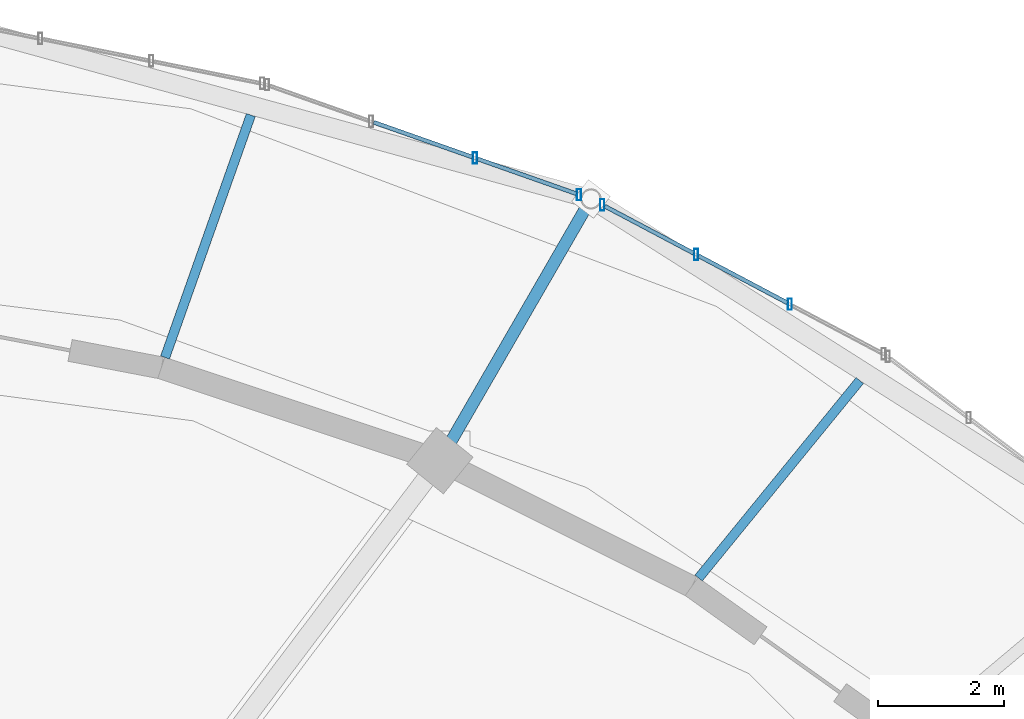
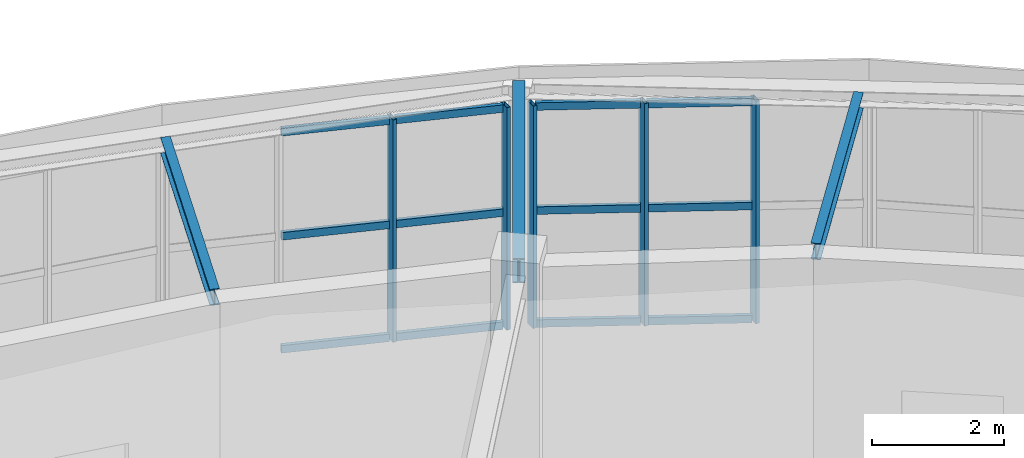
# One storey, part 61 of 108: 17 members, 3 beams, 2 elements without a shape of their own.
"""IFC4 building model written with IfcOpenShell, lengths in metres."""

from ifc_helpers import new_model, si_unit, direction, frame, origin, origin_2d, place, context, subcontext, project, spatial, hollow_rectangle, i_section, extrude, material, material_profile, profile_set, type_object, element, aggregate, save


model = new_model("IFC4")

# Units and contexts
model_context = context("Model", 3, precision=1e-05, world=origin(), true_north=direction((0.0, 1.0)))
body_context = subcontext(model_context, "Body", "Model", "MODEL_VIEW")
ifc_project = project(units=[si_unit("LENGTHUNIT", "METRE"), si_unit("AREAUNIT", "SQUARE_METRE"), si_unit("VOLUMEUNIT", "CUBIC_METRE"), si_unit("PLANEANGLEUNIT", "RADIAN"), si_unit("MASSUNIT", "GRAM", prefix="KILO")], contexts=[model_context])

# Site, building, storey
site_placement = place(None, origin())
site = spatial("IfcSite", under=ifc_project, at=site_placement, CompositionType="ELEMENT")
building_placement = place(site_placement, origin())
building = spatial("IfcBuilding", under=site, at=building_placement, Name="Tarnveldt Headland Concert Hall", CompositionType="ELEMENT")
storey_placement = place(building_placement, frame((0.0, 0.0, 9.60009765625)))
storey = spatial("IfcBuildingStorey", under=building, at=storey_placement, Name="L02", CompositionType="ELEMENT", Elevation=9.60009765625)

# Curtain wall, members
ifc_material_1 = material(Name="Marine-anodised aluminium EN AW-6063-T6", Category="aluminium")
curtain_wall_type = type_object("IfcCurtainWallType", Name="CW-F3", PredefinedType="NOTDEFINED", material=ifc_material_1)
curtain_wall_1_placement = place(storey_placement, origin())
curtain_wall_1 = element("IfcCurtainWall", 1, at=curtain_wall_1_placement, inside=storey, type_object=curtain_wall_type, Name="Curtain wall CW-L02-065", PredefinedType="NOTDEFINED")
ifc_material_profile_1 = material_profile(ifc_material_1, hollow_rectangle(XDim=0.06494140625, YDim=0.179931640625, WallThickness=0.00390625, at=origin_2d()), Name="ALU MULLION 65x180x4", Category="aluminium")
ifc_profile_set_1 = profile_set([ifc_material_profile_1], Name="Marine-anodised aluminium EN AW-6063-T6")
member_type_1 = type_object("IfcMemberType", Name="ML-180", PredefinedType="MULLION", material=ifc_profile_set_1)
member_1_placement = place(storey_placement, frame((103.05810546875, 74.305419921875, 0.0), z_axis=(0.0, 0.0, 1.0), x_axis=(1.0, 0.0, 0.0)))
member_1 = element("IfcMember", 2, at=member_1_placement, type_object=member_type_1, Name="Mullion CW-L02-065-2", PredefinedType="MULLION", context=body_context, shape_type="SweptSolid", body=[
    extrude(hollow_rectangle(XDim=0.06494140625, YDim=0.179931640625, WallThickness=0.00390625, at=origin_2d()), origin(), (0.0, 0.0, 1.0), 4.10791015625),
])
member_2_placement = place(storey_placement, frame((101.568359375, 75.093994140625, 0.0), z_axis=(0.0, 0.0, 1.0), x_axis=(1.0, 0.0, 0.0)))
member_2 = element("IfcMember", 3, at=member_2_placement, type_object=member_type_1, Name="Mullion CW-L02-065-3", PredefinedType="MULLION", context=body_context, shape_type="SweptSolid", body=[
    extrude(hollow_rectangle(XDim=0.06494140625, YDim=0.179931640625, WallThickness=0.00390625, at=origin_2d()), origin(), (0.0, 0.0, 1.0), 4.10791015625),
])
member_3_placement = place(storey_placement, frame((100.07861328125, 75.8828125, 0.0), z_axis=(0.0, 0.0, 1.0), x_axis=(1.0, 0.0, 0.0)))
member_3 = element("IfcMember", 4, at=member_3_placement, type_object=member_type_1, Name="Mullion CW-L02-065-4", PredefinedType="MULLION", context=body_context, shape_type="SweptSolid", body=[
    extrude(hollow_rectangle(XDim=0.06494140625, YDim=0.179931640625, WallThickness=0.00390625, at=origin_2d()), origin(), (0.0, 0.0, 1.0), 4.10791015625),
])

curtain_wall_2_placement = place(storey_placement, origin())
curtain_wall_2 = element("IfcCurtainWall", 5, at=curtain_wall_2_placement, inside=storey, type_object=curtain_wall_type, Name="Curtain wall CW-L02-066", PredefinedType="NOTDEFINED")
member_4_placement = place(storey_placement, frame((99.70947265625, 76.044677734375, 0.0), z_axis=(0.0, 0.0, 1.0), x_axis=(1.0, 0.0, 0.0)))
member_4 = element("IfcMember", 6, at=member_4_placement, type_object=member_type_1, Name="Mullion CW-L02-066-1", PredefinedType="MULLION", context=body_context, shape_type="SweptSolid", body=[
    extrude(hollow_rectangle(XDim=0.06494140625, YDim=0.179931640625, WallThickness=0.00390625, at=origin_2d()), origin(), (0.0, 0.0, 1.0), 4.10791015625),
])
member_5_placement = place(storey_placement, frame((98.058349609375, 76.626708984375, 0.0), z_axis=(0.0, 0.0, 1.0), x_axis=(1.0, 0.0, 0.0)))
member_5 = element("IfcMember", 7, at=member_5_placement, type_object=member_type_1, Name="Mullion CW-L02-066-2", PredefinedType="MULLION", context=body_context, shape_type="SweptSolid", body=[
    extrude(hollow_rectangle(XDim=0.06494140625, YDim=0.179931640625, WallThickness=0.00390625, at=origin_2d()), origin(), (0.0, 0.0, 1.0), 4.10791015625),
])

# Beams
ifc_material_2 = material(Name="Steel S355", Category="steel")
ifc_material_profile_2 = material_profile(ifc_material_2, i_section(OverallWidth=0.14990234375, OverallDepth=0.300048828125, WebThickness=0.007080078125, FlangeThickness=0.0107421875, FilletRadius=0.014892578125, at=origin_2d()), Name="IPE300", Category="steel")
ifc_profile_set_2 = profile_set([ifc_material_profile_2], Name="Steel S355")
beam_type_1 = type_object("IfcBeamType", Name="SB-IPE300", PredefinedType="JOIST", material=ifc_profile_set_2)
beam_1_placement = place(storey_placement, frame((101.608642578125, 69.95654296875, 4.419921875), z_axis=(0.63225535632, 0.774760068928, 0.0), x_axis=(-0.774760068928, 0.63225535632, 0.0)))
element("IfcBeam", 8, at=beam_1_placement, inside=storey, type_object=beam_type_1, Name="Framing beam L02-1003", PredefinedType="JOIST", context=body_context, shape_type="SweptSolid", body=[
    extrude(i_section(OverallWidth=0.14990234375, OverallDepth=0.300048828125, WebThickness=0.007080078125, FlangeThickness=0.0107421875, FilletRadius=0.014892578125, at=origin_2d()), origin(), (0.0, 0.0, 1.0), 4.04833984375),
])
beam_2_placement = place(storey_placement, frame((93.135009765625, 73.458984375, 4.419921875), z_axis=(0.33369553072, 0.942680907188, 0.0), x_axis=(-0.942680907188, 0.33369553072, 0.0)))
element("IfcBeam", 9, at=beam_2_placement, inside=storey, type_object=beam_type_1, Name="Framing beam L02-1006", PredefinedType="JOIST", context=body_context, shape_type="SweptSolid", body=[
    extrude(i_section(OverallWidth=0.14990234375, OverallDepth=0.300048828125, WebThickness=0.007080078125, FlangeThickness=0.0107421875, FilletRadius=0.014892578125, at=origin_2d()), origin(), (0.0, 0.0, 1.0), 4.083984375),
])
ifc_material_profile_3 = material_profile(ifc_material_2, i_section(OverallWidth=0.18994140625, OverallDepth=0.449951171875, WebThickness=0.009521484375, FlangeThickness=0.0146484375, FilletRadius=0.02099609375, at=origin_2d()), Name="IPE450", Category="steel")
ifc_profile_set_3 = profile_set([ifc_material_profile_3], Name="Steel S355")
beam_type_2 = type_object("IfcBeamType", Name="SB-IPE450", PredefinedType="BEAM", material=ifc_profile_set_3)
beam_3_placement = place(storey_placement, frame((97.52001953125, 71.85498046875, 4.344970703125), z_axis=(0.500016218704, 0.866016039709, 0.0), x_axis=(-0.866016039709, 0.500016218704, 0.0)))
element("IfcBeam", 10, at=beam_3_placement, inside=storey, type_object=beam_type_2, Name="Framing beam L02-1005", PredefinedType="BEAM", context=body_context, shape_type="SweptSolid", body=[
    extrude(i_section(OverallWidth=0.18994140625, OverallDepth=0.449951171875, WebThickness=0.009521484375, FlangeThickness=0.0146484375, FilletRadius=0.02099609375, at=origin_2d()), origin(), (0.0, 0.0, 1.0), 4.699951171875),
])

# Member
ifc_material_profile_4 = material_profile(ifc_material_1, hollow_rectangle(XDim=0.06494140625, YDim=0.139892578125, WallThickness=0.00390625, at=origin_2d()), Name="ALU TRANSOM 65x140x4", Category="aluminium")
ifc_profile_set_4 = profile_set([ifc_material_profile_4], Name="Marine-anodised aluminium EN AW-6063-T6")
member_type_2 = type_object("IfcMemberType", Name="TR-140", PredefinedType="MEMBER", material=ifc_profile_set_4)
member_6_placement = place(storey_placement, frame((103.018798828125, 74.326171875, 0.0498046875), z_axis=(-0.883787916347, 0.467887720419, 0.0), x_axis=(-0.467887720419, -0.883787916347, 0.0)))
member_6 = element("IfcMember", 11, at=member_6_placement, type_object=member_type_2, Name="Transom CW-L02-065-2-1", PredefinedType="MEMBER", context=body_context, shape_type="SweptSolid", body=[
    extrude(hollow_rectangle(XDim=0.06494140625, YDim=0.139892578125, WallThickness=0.00390625, at=origin_2d()), origin(), (0.0, 0.0, 1.0), 1.5966796875),
])

member_7_placement = place(storey_placement, frame((103.018798828125, 74.326171875, 2.135986328125), z_axis=(-0.883787916347, 0.467887720419, 0.0), x_axis=(-0.467887720419, -0.883787916347, 0.0)))
member_7 = element("IfcMember", 12, at=member_7_placement, type_object=member_type_2, Name="Transom CW-L02-065-2-2", PredefinedType="MEMBER", context=body_context, shape_type="SweptSolid", body=[
    extrude(hollow_rectangle(XDim=0.06494140625, YDim=0.139892578125, WallThickness=0.00390625, at=origin_2d()), origin(), (0.0, 0.0, 1.0), 1.5966796875),
])

member_8_placement = place(storey_placement, frame((103.018798828125, 74.326171875, 4.057861328125), z_axis=(-0.883787916347, 0.467887720419, 0.0), x_axis=(-0.467887720419, -0.883787916347, 0.0)))
member_8 = element("IfcMember", 13, at=member_8_placement, type_object=member_type_2, Name="Transom CW-L02-065-2-3", PredefinedType="MEMBER", context=body_context, shape_type="SweptSolid", body=[
    extrude(hollow_rectangle(XDim=0.06494140625, YDim=0.139892578125, WallThickness=0.00390625, at=origin_2d()), origin(), (0.0, 0.0, 1.0), 1.5966796875),
])

member_9_placement = place(storey_placement, frame((101.529052734375, 75.114990234375, 0.0498046875), z_axis=(-0.883787916347, 0.467887720419, 0.0), x_axis=(-0.467887720419, -0.883787916347, 0.0)))
member_9 = element("IfcMember", 14, at=member_9_placement, type_object=member_type_2, Name="Transom CW-L02-065-3-1", PredefinedType="MEMBER", context=body_context, shape_type="SweptSolid", body=[
    extrude(hollow_rectangle(XDim=0.06494140625, YDim=0.139892578125, WallThickness=0.00390625, at=origin_2d()), origin(), (0.0, 0.0, 1.0), 1.5966796875),
])

member_10_placement = place(storey_placement, frame((101.529052734375, 75.114990234375, 2.135986328125), z_axis=(-0.883787916347, 0.467887720419, 0.0), x_axis=(-0.467887720419, -0.883787916347, 0.0)))
member_10 = element("IfcMember", 15, at=member_10_placement, type_object=member_type_2, Name="Transom CW-L02-065-3-2", PredefinedType="MEMBER", context=body_context, shape_type="SweptSolid", body=[
    extrude(hollow_rectangle(XDim=0.06494140625, YDim=0.139892578125, WallThickness=0.00390625, at=origin_2d()), origin(), (0.0, 0.0, 1.0), 1.5966796875),
])

member_11_placement = place(storey_placement, frame((101.529052734375, 75.114990234375, 4.057861328125), z_axis=(-0.883787916347, 0.467887720419, 0.0), x_axis=(-0.467887720419, -0.883787916347, 0.0)))
member_11 = element("IfcMember", 16, at=member_11_placement, type_object=member_type_2, Name="Transom CW-L02-065-3-3", PredefinedType="MEMBER", context=body_context, shape_type="SweptSolid", body=[
    extrude(hollow_rectangle(XDim=0.06494140625, YDim=0.139892578125, WallThickness=0.00390625, at=origin_2d()), origin(), (0.0, 0.0, 1.0), 1.5966796875),
])

aggregate(curtain_wall_1, [member_1, member_2, member_3, member_6, member_7, member_8, member_9, member_10, member_11])

member_12_placement = place(storey_placement, frame((99.66748046875, 76.059326171875, 0.0498046875), z_axis=(-0.94306083262, 0.332620303015, 0.0), x_axis=(-0.332620303015, -0.94306083262, 0.0)))
member_12 = element("IfcMember", 17, at=member_12_placement, type_object=member_type_2, Name="Transom CW-L02-066-1-1", PredefinedType="MEMBER", context=body_context, shape_type="SweptSolid", body=[
    extrude(hollow_rectangle(XDim=0.06494140625, YDim=0.139892578125, WallThickness=0.00390625, at=origin_2d()), origin(), (0.0, 0.0, 1.0), 1.661865234375),
])

member_13_placement = place(storey_placement, frame((99.66748046875, 76.059326171875, 2.135986328125), z_axis=(-0.94306083262, 0.332620303015, 0.0), x_axis=(-0.332620303015, -0.94306083262, 0.0)))
member_13 = element("IfcMember", 18, at=member_13_placement, type_object=member_type_2, Name="Transom CW-L02-066-1-2", PredefinedType="MEMBER", context=body_context, shape_type="SweptSolid", body=[
    extrude(hollow_rectangle(XDim=0.06494140625, YDim=0.139892578125, WallThickness=0.00390625, at=origin_2d()), origin(), (0.0, 0.0, 1.0), 1.661865234375),
])

member_14_placement = place(storey_placement, frame((99.66748046875, 76.059326171875, 4.057861328125), z_axis=(-0.94306083262, 0.332620303015, 0.0), x_axis=(-0.332620303015, -0.94306083262, 0.0)))
member_14 = element("IfcMember", 19, at=member_14_placement, type_object=member_type_2, Name="Transom CW-L02-066-1-3", PredefinedType="MEMBER", context=body_context, shape_type="SweptSolid", body=[
    extrude(hollow_rectangle(XDim=0.06494140625, YDim=0.139892578125, WallThickness=0.00390625, at=origin_2d()), origin(), (0.0, 0.0, 1.0), 1.661865234375),
])

member_15_placement = place(storey_placement, frame((98.016357421875, 76.6416015625, 0.0498046875), z_axis=(-0.943106910947, 0.332489630702, 0.0), x_axis=(-0.332489630702, -0.943106910947, 0.0)))
member_15 = element("IfcMember", 20, at=member_15_placement, type_object=member_type_2, Name="Transom CW-L02-066-2-1", PredefinedType="MEMBER", context=body_context, shape_type="SweptSolid", body=[
    extrude(hollow_rectangle(XDim=0.06494140625, YDim=0.139892578125, WallThickness=0.00390625, at=origin_2d()), origin(), (0.0, 0.0, 1.0), 1.66162109375),
])

member_16_placement = place(storey_placement, frame((98.016357421875, 76.6416015625, 2.135986328125), z_axis=(-0.943106910947, 0.332489630702, 0.0), x_axis=(-0.332489630702, -0.943106910947, 0.0)))
member_16 = element("IfcMember", 21, at=member_16_placement, type_object=member_type_2, Name="Transom CW-L02-066-2-2", PredefinedType="MEMBER", context=body_context, shape_type="SweptSolid", body=[
    extrude(hollow_rectangle(XDim=0.06494140625, YDim=0.139892578125, WallThickness=0.00390625, at=origin_2d()), origin(), (0.0, 0.0, 1.0), 1.66162109375),
])

member_17_placement = place(storey_placement, frame((98.016357421875, 76.6416015625, 4.057861328125), z_axis=(-0.943106910947, 0.332489630702, 0.0), x_axis=(-0.332489630702, -0.943106910947, 0.0)))
member_17 = element("IfcMember", 22, at=member_17_placement, type_object=member_type_2, Name="Transom CW-L02-066-2-3", PredefinedType="MEMBER", context=body_context, shape_type="SweptSolid", body=[
    extrude(hollow_rectangle(XDim=0.06494140625, YDim=0.139892578125, WallThickness=0.00390625, at=origin_2d()), origin(), (0.0, 0.0, 1.0), 1.66162109375),
])

aggregate(curtain_wall_2, [member_4, member_5, member_12, member_13, member_14, member_15, member_16, member_17])

save(model, "model.ifc")
